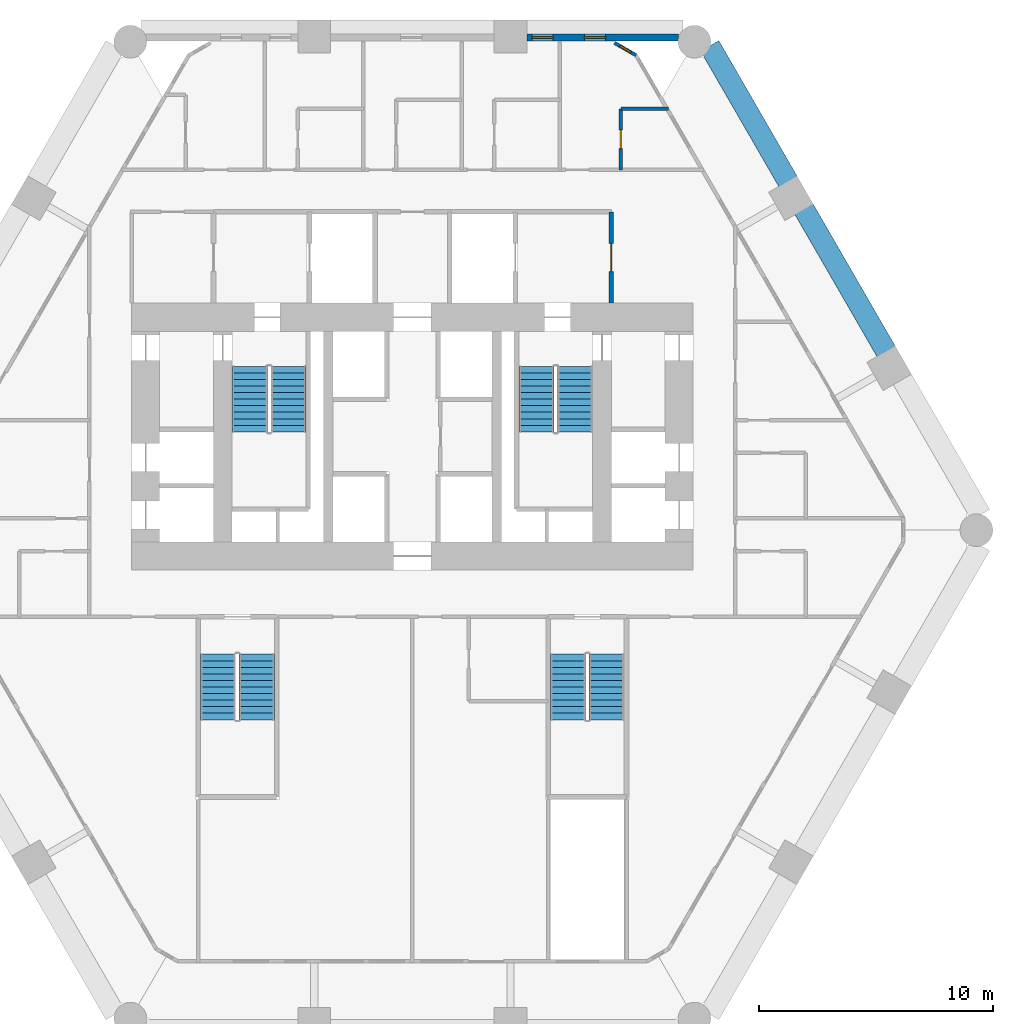
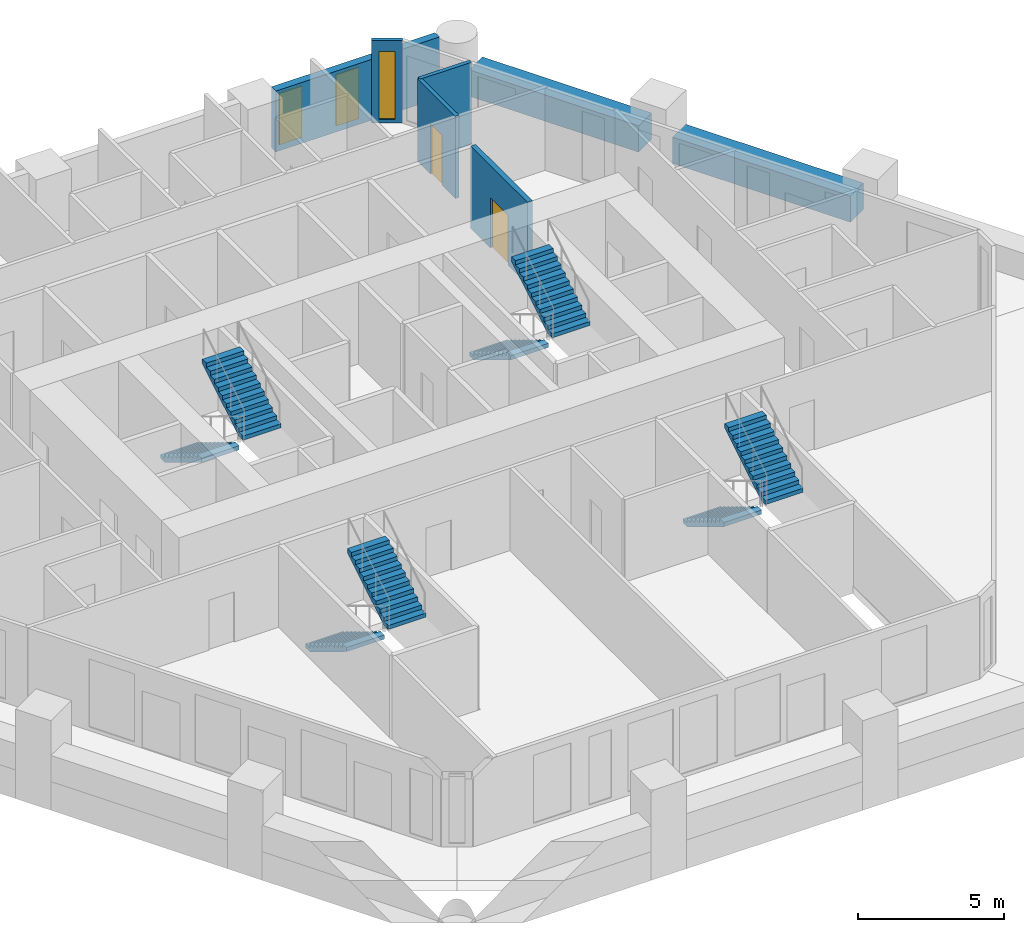
# One storey, part 7 of 8: 8 stair flights, 7 walls, 3 windows, 2 doors, 5 openings, 4 elements without a shape of their own.
"""IFC4 building model written with IfcOpenShell, lengths in metres."""

from ifc_helpers import new_model, si_unit, direction, frame, frame_2d, origin, place, context, subcontext, project, spatial, polyline, rectangle, outline, extrude, material, layer, layer_set, type_object, element, fill, aggregate, save


model = new_model("IFC4")

# Units and contexts
model_context = context("Model", 3, precision=1e-05, world=origin(), true_north=direction((0.0, 1.0)))
body_context = subcontext(model_context, "Body", "Model", "MODEL_VIEW")
ifc_project = project(units=[si_unit("LENGTHUNIT", "METRE"), si_unit("AREAUNIT", "SQUARE_METRE"), si_unit("VOLUMEUNIT", "CUBIC_METRE"), si_unit("PLANEANGLEUNIT", "RADIAN"), si_unit("MASSUNIT", "GRAM", prefix="KILO")], contexts=[model_context])

# Site, building, storey
site_placement = place(None, origin())
site = spatial("IfcSite", under=ifc_project, at=site_placement, CompositionType="ELEMENT")
building_placement = place(site_placement, origin())
building = spatial("IfcBuilding", under=site, at=building_placement, Name="Ostrander Bayou Hotel Tower", CompositionType="ELEMENT")
storey_placement = place(building_placement, frame((0.0, 0.0, 31.75)))
storey = spatial("IfcBuildingStorey", under=building, at=storey_placement, Name="L07", CompositionType="ELEMENT", Elevation=31.75)

# Wall, opening, window
ifc_material_1 = material(Name="Aluminium framed insulated wall", Category="aluminium")
ifc_layer_1 = layer(ifc_material_1, 0.14990234375)
ifc_layer_set_1 = layer_set([ifc_layer_1], Name="GW1 glass-line wall 150 mm")
wall_type_1 = type_object("IfcWallType", Name="GW1 glass-line wall 150 mm", PredefinedType="SOLIDWALL", material=ifc_layer_set_1)
wall_1_placement = place(storey_placement, frame((9.5595703125, 20.29248046875, 0.0), z_axis=(0.0, 0.0, 1.0), x_axis=(-0.866048165231, 0.499960573946, 0.0)))
wall_1 = element("IfcWall", 1, at=wall_1_placement, inside=storey, type_object=wall_type_1, Name="GW1 L07 corner 6", PredefinedType="SOLIDWALL", context=body_context, shape_type="SweptSolid", body=[
    extrude(rectangle(XDim=1.06494140625, YDim=0.14990234375, at=frame_2d((0.532470703125, 0.0))), origin(), (0.0, 0.0, 1.0), 3.449951171875),
])
opening_1_placement = place(wall_1_placement, frame((0.257568359375, 0.0, 0.14990234375)))
opening_1 = element("IfcOpeningElement", 2, at=opening_1_placement, cuts=wall_1, Name="Opening W19", PredefinedType="OPENING", context=body_context, shape_type="SweptSolid", body=[
    extrude(rectangle(XDim=0.550048828125, YDim=2.85009765625, at=frame_2d((0.27490234375, 1.425048828125))), frame((0.0, 0.074951171875, 0.0), z_axis=(0.0, -1.0, 0.0), x_axis=(1.0, 0.0, 0.0)), (0.0, 0.0, 1.0), 0.14990234375),
])
ifc_material_2 = material(Name="Aluminium and clear glass", Category="aluminium")
window_type_1 = type_object("IfcWindowType", Name="W19 corner window 550 mm", PartitioningType="SINGLE_PANEL", PredefinedType="WINDOW", material=ifc_material_2)
window_1_placement = place(opening_1_placement, origin())
window_1 = element("IfcWindow", 3, at=window_1_placement, inside=storey, type_object=window_type_1, Name="W19 L07 corner 6", OverallHeight=2.85009765625, OverallWidth=0.550048828125, PartitioningType="SINGLE_PANEL", PredefinedType="WINDOW", context=body_context, shape_type="SweptSolid", body=[
    extrude(rectangle(XDim=0.550048828125, YDim=2.85009765625, at=frame_2d((0.27490234375, 1.425048828125))), frame((0.0, 0.030029296875, 0.0), z_axis=(0.0, -1.0, 0.0), x_axis=(1.0, 0.0, 0.0)), (0.0, 0.0, 1.0), 0.06005859375),
])
fill(opening_1, window_1)

# Wall, openings, windows
ifc_material_3 = material(Name="Reconstituted stone on masonry backing", Category="masonry")
ifc_layer_2 = layer(ifc_material_3, 0.300048828125)
ifc_layer_set_2 = layer_set([ifc_layer_2], Name="NW1 north stone wall 300 mm")
wall_type_2 = type_object("IfcWallType", Name="NW1 north stone wall 300 mm", PredefinedType="SOLIDWALL", material=ifc_layer_set_2)
wall_2_placement = place(storey_placement, frame((11.376708984375, 21.050048828125, 0.0), z_axis=(0.0, 0.0, 1.0), x_axis=(-1.0, 0.0, 0.0)))
wall_2 = element("IfcWall", 4, at=wall_2_placement, inside=storey, type_object=wall_type_2, Name="NW1 L07 N-1", PredefinedType="SOLIDWALL", context=body_context, shape_type="SweptSolid", body=[
    extrude(rectangle(XDim=6.481201171875, YDim=0.300048828125, at=frame_2d((3.24072265625, 0.0))), origin(), (0.0, 0.0, 1.0), 2.550048828125),
])
opening_2_placement = place(wall_2_placement, frame((3.123779296875, 0.0, 0.14990234375)))
opening_2 = element("IfcOpeningElement", 5, at=opening_2_placement, cuts=wall_2, Name="Opening W15", PredefinedType="OPENING", context=body_context, shape_type="SweptSolid", body=[
    extrude(rectangle(XDim=0.89990234375, YDim=2.14990234375, at=frame_2d((0.449951171875, 1.074951171875))), frame((0.0, 0.14990234375, 0.0), z_axis=(0.0, -1.0, 0.0), x_axis=(1.0, 0.0, 0.0)), (0.0, 0.0, 1.0), 0.300048828125),
])
opening_3_placement = place(wall_2_placement, frame((5.376708984375, 0.0, 0.14990234375)))
opening_3 = element("IfcOpeningElement", 6, at=opening_3_placement, cuts=wall_2, Name="Opening W15", PredefinedType="OPENING", context=body_context, shape_type="SweptSolid", body=[
    extrude(rectangle(XDim=0.89990234375, YDim=2.14990234375, at=frame_2d((0.449951171875, 1.074951171875))), frame((0.0, 0.14990234375, 0.0), z_axis=(0.0, -1.0, 0.0), x_axis=(1.0, 0.0, 0.0)), (0.0, 0.0, 1.0), 0.300048828125),
])
ifc_material_4 = material(Name="Aluminium and clear glass", Category="aluminium")
window_type_2 = type_object("IfcWindowType", Name="W15 window 900 mm, zone 1", PartitioningType="SINGLE_PANEL", PredefinedType="WINDOW", material=ifc_material_4)
window_2_placement = place(opening_2_placement, origin())
window_2 = element("IfcWindow", 7, at=window_2_placement, inside=storey, type_object=window_type_2, Name="W15 L07 north N-1", OverallHeight=2.14990234375, OverallWidth=0.89990234375, PartitioningType="SINGLE_PANEL", PredefinedType="WINDOW", context=body_context, shape_type="SweptSolid", body=[
    extrude(rectangle(XDim=0.89990234375, YDim=2.14990234375, at=frame_2d((0.449951171875, 1.074951171875))), frame((0.0, 0.030029296875, 0.0), z_axis=(0.0, -1.0, 0.0), x_axis=(1.0, 0.0, 0.0)), (0.0, 0.0, 1.0), 0.06005859375),
])
fill(opening_2, window_2)
window_3_placement = place(opening_3_placement, origin())
window_3 = element("IfcWindow", 8, at=window_3_placement, inside=storey, type_object=window_type_2, Name="W15 L07 north N-1-2", OverallHeight=2.14990234375, OverallWidth=0.89990234375, PartitioningType="SINGLE_PANEL", PredefinedType="WINDOW", context=body_context, shape_type="SweptSolid", body=[
    extrude(rectangle(XDim=0.89990234375, YDim=2.14990234375, at=frame_2d((0.449951171875, 1.074951171875))), frame((0.0, 0.030029296875, 0.0), z_axis=(0.0, -1.0, 0.0), x_axis=(1.0, 0.0, 0.0)), (0.0, 0.0, 1.0), 0.06005859375),
])
fill(opening_3, window_3)

# Walls
ifc_material_5 = material(Name="Concrete f'c 40 MPa", Category="concrete")
ifc_layer_3 = layer(ifc_material_5, 0.89990234375)
ifc_layer_set_3 = layer_set([ifc_layer_3], Name="PA1 stone-faced parapet 900 mm")
wall_type_3 = type_object("IfcWallType", Name="PA1 stone-faced parapet 900 mm", PredefinedType="PARAPET", material=ifc_layer_set_3)
wall_3_placement = place(storey_placement, frame((20.252197265625, 7.621826171875, 0.0), z_axis=(0.0, 0.0, 1.0), x_axis=(-0.499997206141, 0.866027016814, 0.0)))
element("IfcWall", 9, at=wall_3_placement, inside=storey, type_object=wall_type_3, Name="PA1 L07 NE-2", PredefinedType="PARAPET", context=body_context, shape_type="SweptSolid", body=[
    extrude(rectangle(XDim=7.05078125, YDim=0.89990234375, at=frame_2d((3.525390625, 0.0))), origin(), (0.0, 0.0, 1.0), 1.10009765625),
])
wall_4_placement = place(storey_placement, frame((16.056884765625, 14.888671875, 0.0), z_axis=(0.0, 0.0, 1.0), x_axis=(-0.500005133765, 0.866022439784, 0.0)))
element("IfcWall", 10, at=wall_4_placement, inside=storey, type_object=wall_type_3, Name="PA1 L07 NE-3", PredefinedType="PARAPET", context=body_context, shape_type="SweptSolid", body=[
    extrude(rectangle(XDim=6.70361328125, YDim=0.89990234375, at=frame_2d((3.351806640625, 0.0))), origin(), (0.0, 0.0, 1.0), 1.10009765625),
])

# Wall, opening, door
ifc_material_6 = material(Name="Masonry block", Category="masonry")
ifc_layer_4 = layer(ifc_material_6, 0.199951171875)
ifc_layer_set_4 = layer_set([ifc_layer_4], Name="PT5 stair enclosure wall 200 mm masonry, 2 hour")
wall_type_4 = type_object("IfcWallType", Name="PT5 stair enclosure wall 200 mm masonry, 2 hour", PredefinedType="PARTITIONING", material=ifc_layer_set_4)
wall_5_placement = place(storey_placement, frame((8.5, 9.699951171875, 0.0), z_axis=(0.0, 0.0, 1.0), x_axis=(0.0, 1.0, 0.0)))
wall_5 = element("IfcWall", 11, at=wall_5_placement, inside=storey, type_object=wall_type_4, Name="cs:L07:027", PredefinedType="PARTITIONING", context=body_context, shape_type="SweptSolid", body=[
    extrude(rectangle(XDim=3.900146484375, YDim=0.199951171875, at=frame_2d((1.9501953125, 0.0))), origin(), (0.0, 0.0, 1.0), 3.449951171875),
])
opening_4_placement = place(wall_5_placement, frame((1.35009765625, 0.0, 0.0)))
opening_4 = element("IfcOpeningElement", 12, at=opening_4_placement, cuts=wall_5, Name="Opening T06-012", PredefinedType="OPENING", context=body_context, shape_type="SweptSolid", body=[
    extrude(rectangle(XDim=1.199951171875, YDim=2.10009765625, at=frame_2d((0.60009765625, 1.050048828125))), frame((0.0, 0.10009765625, 0.0), z_axis=(0.0, -1.0, 0.0), x_axis=(1.0, 0.0, 0.0)), (0.0, 0.0, 1.0), 0.199951171875),
])
ifc_material_7 = material(Name="Timber door leaf", Category="wood")
door_type_1 = type_object("IfcDoorType", Name="D7 lobby door 1200 x 2100 mm, 1 hour", OperationType="SINGLE_SWING_LEFT", PredefinedType="DOOR", material=ifc_material_7)
door_1_placement = place(opening_4_placement, origin())
door_1 = element("IfcDoor", 13, at=door_1_placement, inside=storey, type_object=door_type_1, Name="dr:L07:012", OperationType="SINGLE_SWING_LEFT", OverallHeight=2.10009765625, OverallWidth=1.199951171875, PredefinedType="DOOR", context=body_context, shape_type="SweptSolid", body=[
    extrude(rectangle(XDim=1.199951171875, YDim=2.10009765625, at=frame_2d((0.60009765625, 1.050048828125))), frame((0.0, 0.02490234375, 0.0), z_axis=(0.0, -1.0, 0.0), x_axis=(1.0, 0.0, 0.0)), (0.0, 0.0, 1.0), 0.050048828125),
])
fill(opening_4, door_1)

# Wall
ifc_material_8 = material(Name="Gypsum board partition", Category="finish")
ifc_layer_5 = layer(ifc_material_8, 0.14990234375)
ifc_layer_set_5 = layer_set([ifc_layer_5], Name="PT8 service band wall 150 mm, 1 hour")
wall_type_5 = type_object("IfcWallType", Name="PT8 service band wall 150 mm, 1 hour", PredefinedType="PARTITIONING", material=ifc_layer_set_5)
wall_6_placement = place(storey_placement, frame((8.905029296875, 18.0, 0.0), z_axis=(0.0, 0.0, 1.0), x_axis=(1.0, 0.0, 0.0)))
element("IfcWall", 14, at=wall_6_placement, inside=storey, type_object=wall_type_5, Name="gw:L07:016", PredefinedType="PARTITIONING", context=body_context, shape_type="SweptSolid", body=[
    extrude(rectangle(XDim=2.030029296875, YDim=0.14990234375, at=frame_2d((1.01513671875, 0.0))), origin(), (0.0, 0.0, 1.0), 3.449951171875),
])

# Wall, opening, door
wall_7_placement = place(storey_placement, frame((8.905029296875, 15.39990234375, 0.0), z_axis=(0.0, 0.0, 1.0), x_axis=(0.0, 1.0, 0.0)))
wall_7 = element("IfcWall", 15, at=wall_7_placement, inside=storey, type_object=wall_type_5, Name="gw:L07:024", PredefinedType="PARTITIONING", context=body_context, shape_type="SweptSolid", body=[
    extrude(rectangle(XDim=2.60009765625, YDim=0.14990234375, at=frame_2d((1.300048828125, 0.0))), origin(), (0.0, 0.0, 1.0), 3.449951171875),
])
opening_5_placement = place(wall_7_placement, frame((0.89990234375, 0.0, 0.0)))
opening_5 = element("IfcOpeningElement", 16, at=opening_5_placement, cuts=wall_7, Name="Opening T06-424", PredefinedType="OPENING", context=body_context, shape_type="SweptSolid", body=[
    extrude(rectangle(XDim=0.800048828125, YDim=2.10009765625, at=frame_2d((0.39990234375, 1.050048828125))), frame((0.0, 0.074951171875, 0.0), z_axis=(0.0, -1.0, 0.0), x_axis=(1.0, 0.0, 0.0)), (0.0, 0.0, 1.0), 0.14990234375),
])
ifc_material_9 = material(Name="Timber door leaf", Category="wood")
door_type_2 = type_object("IfcDoorType", Name="D2 bathroom door 800 x 2100 mm", OperationType="SINGLE_SWING_LEFT", PredefinedType="DOOR", material=ifc_material_9)
door_2_placement = place(opening_5_placement, origin())
door_2 = element("IfcDoor", 17, at=door_2_placement, inside=storey, type_object=door_type_2, Name="dr:L07:424", OperationType="SINGLE_SWING_LEFT", OverallHeight=2.10009765625, OverallWidth=0.800048828125, PredefinedType="DOOR", context=body_context, shape_type="SweptSolid", body=[
    extrude(rectangle(XDim=0.800048828125, YDim=2.10009765625, at=frame_2d((0.39990234375, 1.050048828125))), frame((0.0, 0.02490234375, 0.0), z_axis=(0.0, -1.0, 0.0), x_axis=(1.0, 0.0, 0.0)), (0.0, 0.0, 1.0), 0.050048828125),
])
fill(opening_5, door_2)

# Stair, stair flights
ifc_material_10 = material(Name="Concrete f'c 45 MPa", Category="concrete")
stair_type = type_object("IfcStairType", Name="ST1 exit stair 1500 mm f'c 45 MPa", PredefinedType="HALF_TURN_STAIR", material=ifc_material_10)
stair_1_placement = place(storey_placement, origin())
stair_1 = element("IfcStair", 18, at=stair_1_placement, inside=storey, type_object=stair_type, Name="L07 exit stair A", PredefinedType="HALF_TURN_STAIR")
ifc_material_11 = material(Name="Concrete f'c 45 MPa", Category="concrete")
stair_flight_type = type_object("IfcStairFlightType", Name="SF1 stair flight 1500 mm f'c 45 MPa", PredefinedType="STRAIGHT", material=ifc_material_11)
stair_flight_1_placement = place(storey_placement, frame((-6.949951171875, 7.0, 0.0), z_axis=(0.0, 0.0, 1.0), x_axis=(0.0, -1.0, 0.0)))
stair_flight_1 = element("IfcStairFlight", 19, at=stair_flight_1_placement, type_object=stair_flight_type, Name="STA flight 1", NumberOfRisers=11, NumberOfTreads=10, PredefinedType="STRAIGHT", RiserHeight=0.170454545, TreadLength=0.28, context=body_context, shape_type="SweptSolid", body=[
    extrude(outline(polyline([(0.0, 0.0), (0.0, 0.17041015625), (0.280029296875, 0.17041015625), (0.280029296875, 0.3408203125), (0.56005859375, 0.3408203125), (0.56005859375, 0.511474609375), (0.840087890625, 0.511474609375), (0.840087890625, 0.681884765625), (1.1201171875, 0.681884765625), (1.1201171875, 0.852294921875), (1.39990234375, 0.852294921875), (1.39990234375, 1.022705078125), (1.679931640625, 1.022705078125), (1.679931640625, 1.193115234375), (1.9599609375, 1.193115234375), (1.9599609375, 1.363525390625), (2.239990234375, 1.363525390625), (2.239990234375, 1.5341796875), (2.52001953125, 1.5341796875), (2.52001953125, 1.70458984375), (2.800048828125, 1.70458984375), (2.800048828125, 1.875), (2.800048828125, 1.529052734375), (0.288330078125, 0.0), (0.0, 0.0)])), frame((0.0, 0.75, 0.0), z_axis=(0.0, -1.0, 0.0), x_axis=(1.0, 0.0, 0.0)), (0.0, 0.0, 1.0), 1.5),
])
stair_flight_2_placement = place(storey_placement, frame((-5.300048828125, 4.199951171875, 1.875), z_axis=(0.0, 0.0, 1.0), x_axis=(0.0, 1.0, 0.0)))
stair_flight_2 = element("IfcStairFlight", 20, at=stair_flight_2_placement, type_object=stair_flight_type, Name="STA flight 2", NumberOfRisers=11, NumberOfTreads=10, PredefinedType="STRAIGHT", RiserHeight=0.170454545, TreadLength=0.28, context=body_context, shape_type="SweptSolid", body=[
    extrude(outline(polyline([(0.0, 0.0), (0.0, 0.17041015625), (0.280029296875, 0.17041015625), (0.280029296875, 0.3408203125), (0.56005859375, 0.3408203125), (0.56005859375, 0.511474609375), (0.840087890625, 0.511474609375), (0.840087890625, 0.681884765625), (1.1201171875, 0.681884765625), (1.1201171875, 0.852294921875), (1.39990234375, 0.852294921875), (1.39990234375, 1.022705078125), (1.679931640625, 1.022705078125), (1.679931640625, 1.193115234375), (1.9599609375, 1.193115234375), (1.9599609375, 1.363525390625), (2.239990234375, 1.363525390625), (2.239990234375, 1.5341796875), (2.52001953125, 1.5341796875), (2.52001953125, 1.70458984375), (2.800048828125, 1.70458984375), (2.800048828125, 1.875), (2.800048828125, 1.529052734375), (0.288330078125, 0.0), (0.0, 0.0)])), frame((0.0, 0.75, 0.0), z_axis=(0.0, -1.0, 0.0), x_axis=(1.0, 0.0, 0.0)), (0.0, 0.0, 1.0), 1.5),
])
aggregate(stair_1, [stair_flight_1, stair_flight_2])

stair_2_placement = place(storey_placement, origin())
stair_2 = element("IfcStair", 21, at=stair_2_placement, inside=storey, type_object=stair_type, Name="L07 exit stair B", PredefinedType="HALF_TURN_STAIR")
stair_flight_3_placement = place(storey_placement, frame((5.300048828125, 7.0, 0.0), z_axis=(0.0, 0.0, 1.0), x_axis=(0.0, -1.0, 0.0)))
stair_flight_3 = element("IfcStairFlight", 22, at=stair_flight_3_placement, type_object=stair_flight_type, Name="STB flight 1", NumberOfRisers=11, NumberOfTreads=10, PredefinedType="STRAIGHT", RiserHeight=0.170454545, TreadLength=0.28, context=body_context, shape_type="SweptSolid", body=[
    extrude(outline(polyline([(0.0, 0.0), (0.0, 0.17041015625), (0.280029296875, 0.17041015625), (0.280029296875, 0.3408203125), (0.56005859375, 0.3408203125), (0.56005859375, 0.511474609375), (0.840087890625, 0.511474609375), (0.840087890625, 0.681884765625), (1.1201171875, 0.681884765625), (1.1201171875, 0.852294921875), (1.39990234375, 0.852294921875), (1.39990234375, 1.022705078125), (1.679931640625, 1.022705078125), (1.679931640625, 1.193115234375), (1.9599609375, 1.193115234375), (1.9599609375, 1.363525390625), (2.239990234375, 1.363525390625), (2.239990234375, 1.5341796875), (2.52001953125, 1.5341796875), (2.52001953125, 1.70458984375), (2.800048828125, 1.70458984375), (2.800048828125, 1.875), (2.800048828125, 1.529052734375), (0.288330078125, 0.0), (0.0, 0.0)])), frame((0.0, 0.75, 0.0), z_axis=(0.0, -1.0, 0.0), x_axis=(1.0, 0.0, 0.0)), (0.0, 0.0, 1.0), 1.5),
])
stair_flight_4_placement = place(storey_placement, frame((6.949951171875, 4.199951171875, 1.875), z_axis=(0.0, 0.0, 1.0), x_axis=(0.0, 1.0, 0.0)))
stair_flight_4 = element("IfcStairFlight", 23, at=stair_flight_4_placement, type_object=stair_flight_type, Name="STB flight 2", NumberOfRisers=11, NumberOfTreads=10, PredefinedType="STRAIGHT", RiserHeight=0.170454545, TreadLength=0.28, context=body_context, shape_type="SweptSolid", body=[
    extrude(outline(polyline([(0.0, 0.0), (0.0, 0.17041015625), (0.280029296875, 0.17041015625), (0.280029296875, 0.3408203125), (0.56005859375, 0.3408203125), (0.56005859375, 0.511474609375), (0.840087890625, 0.511474609375), (0.840087890625, 0.681884765625), (1.1201171875, 0.681884765625), (1.1201171875, 0.852294921875), (1.39990234375, 0.852294921875), (1.39990234375, 1.022705078125), (1.679931640625, 1.022705078125), (1.679931640625, 1.193115234375), (1.9599609375, 1.193115234375), (1.9599609375, 1.363525390625), (2.239990234375, 1.363525390625), (2.239990234375, 1.5341796875), (2.52001953125, 1.5341796875), (2.52001953125, 1.70458984375), (2.800048828125, 1.70458984375), (2.800048828125, 1.875), (2.800048828125, 1.529052734375), (0.288330078125, 0.0), (0.0, 0.0)])), frame((0.0, 0.75, 0.0), z_axis=(0.0, -1.0, 0.0), x_axis=(1.0, 0.0, 0.0)), (0.0, 0.0, 1.0), 1.5),
])
aggregate(stair_2, [stair_flight_3, stair_flight_4])

stair_3_placement = place(storey_placement, origin())
stair_3 = element("IfcStair", 24, at=stair_3_placement, inside=storey, type_object=stair_type, Name="L07 exit stair C", PredefinedType="HALF_TURN_STAIR")
stair_flight_5_placement = place(storey_placement, frame((6.64990234375, -5.300048828125, 0.0), z_axis=(0.0, 0.0, 1.0), x_axis=(0.0, -1.0, 0.0)))
stair_flight_5 = element("IfcStairFlight", 25, at=stair_flight_5_placement, type_object=stair_flight_type, Name="STC flight 1", NumberOfRisers=11, NumberOfTreads=10, PredefinedType="STRAIGHT", RiserHeight=0.170454545, TreadLength=0.28, context=body_context, shape_type="SweptSolid", body=[
    extrude(outline(polyline([(0.0, 0.0), (0.0, 0.17041015625), (0.280029296875, 0.17041015625), (0.280029296875, 0.3408203125), (0.56005859375, 0.3408203125), (0.56005859375, 0.511474609375), (0.840087890625, 0.511474609375), (0.840087890625, 0.681884765625), (1.1201171875, 0.681884765625), (1.1201171875, 0.852294921875), (1.39990234375, 0.852294921875), (1.39990234375, 1.022705078125), (1.679931640625, 1.022705078125), (1.679931640625, 1.193115234375), (1.9599609375, 1.193115234375), (1.9599609375, 1.363525390625), (2.239990234375, 1.363525390625), (2.239990234375, 1.5341796875), (2.52001953125, 1.5341796875), (2.52001953125, 1.70458984375), (2.800048828125, 1.70458984375), (2.800048828125, 1.875), (2.800048828125, 1.529052734375), (0.288330078125, 0.0), (0.0, 0.0)])), frame((0.0, 0.75, 0.0), z_axis=(0.0, -1.0, 0.0), x_axis=(1.0, 0.0, 0.0)), (0.0, 0.0, 1.0), 1.5),
])
stair_flight_6_placement = place(storey_placement, frame((8.300048828125, -8.10009765625, 1.875), z_axis=(0.0, 0.0, 1.0), x_axis=(0.0, 1.0, 0.0)))
stair_flight_6 = element("IfcStairFlight", 26, at=stair_flight_6_placement, type_object=stair_flight_type, Name="STC flight 2", NumberOfRisers=11, NumberOfTreads=10, PredefinedType="STRAIGHT", RiserHeight=0.170454545, TreadLength=0.28, context=body_context, shape_type="SweptSolid", body=[
    extrude(outline(polyline([(0.0, 0.0), (0.0, 0.17041015625), (0.280029296875, 0.17041015625), (0.280029296875, 0.3408203125), (0.56005859375, 0.3408203125), (0.56005859375, 0.511474609375), (0.840087890625, 0.511474609375), (0.840087890625, 0.681884765625), (1.1201171875, 0.681884765625), (1.1201171875, 0.852294921875), (1.39990234375, 0.852294921875), (1.39990234375, 1.022705078125), (1.679931640625, 1.022705078125), (1.679931640625, 1.193115234375), (1.9599609375, 1.193115234375), (1.9599609375, 1.363525390625), (2.239990234375, 1.363525390625), (2.239990234375, 1.5341796875), (2.52001953125, 1.5341796875), (2.52001953125, 1.70458984375), (2.800048828125, 1.70458984375), (2.800048828125, 1.875), (2.800048828125, 1.529052734375), (0.288330078125, 0.0), (0.0, 0.0)])), frame((0.0, 0.75, 0.0), z_axis=(0.0, -1.0, 0.0), x_axis=(1.0, 0.0, 0.0)), (0.0, 0.0, 1.0), 1.5),
])
aggregate(stair_3, [stair_flight_5, stair_flight_6])

stair_4_placement = place(storey_placement, origin())
stair_4 = element("IfcStair", 27, at=stair_4_placement, inside=storey, type_object=stair_type, Name="L07 exit stair D", PredefinedType="HALF_TURN_STAIR")
stair_flight_7_placement = place(storey_placement, frame((-8.300048828125, -5.300048828125, 0.0), z_axis=(0.0, 0.0, 1.0), x_axis=(0.0, -1.0, 0.0)))
stair_flight_7 = element("IfcStairFlight", 28, at=stair_flight_7_placement, type_object=stair_flight_type, Name="STD flight 1", NumberOfRisers=11, NumberOfTreads=10, PredefinedType="STRAIGHT", RiserHeight=0.170454545, TreadLength=0.28, context=body_context, shape_type="SweptSolid", body=[
    extrude(outline(polyline([(0.0, 0.0), (0.0, 0.17041015625), (0.280029296875, 0.17041015625), (0.280029296875, 0.3408203125), (0.56005859375, 0.3408203125), (0.56005859375, 0.511474609375), (0.840087890625, 0.511474609375), (0.840087890625, 0.681884765625), (1.1201171875, 0.681884765625), (1.1201171875, 0.852294921875), (1.39990234375, 0.852294921875), (1.39990234375, 1.022705078125), (1.679931640625, 1.022705078125), (1.679931640625, 1.193115234375), (1.9599609375, 1.193115234375), (1.9599609375, 1.363525390625), (2.239990234375, 1.363525390625), (2.239990234375, 1.5341796875), (2.52001953125, 1.5341796875), (2.52001953125, 1.70458984375), (2.800048828125, 1.70458984375), (2.800048828125, 1.875), (2.800048828125, 1.529052734375), (0.288330078125, 0.0), (0.0, 0.0)])), frame((0.0, 0.75, 0.0), z_axis=(0.0, -1.0, 0.0), x_axis=(1.0, 0.0, 0.0)), (0.0, 0.0, 1.0), 1.5),
])
stair_flight_8_placement = place(storey_placement, frame((-6.64990234375, -8.10009765625, 1.875), z_axis=(0.0, 0.0, 1.0), x_axis=(0.0, 1.0, 0.0)))
stair_flight_8 = element("IfcStairFlight", 29, at=stair_flight_8_placement, type_object=stair_flight_type, Name="STD flight 2", NumberOfRisers=11, NumberOfTreads=10, PredefinedType="STRAIGHT", RiserHeight=0.170454545, TreadLength=0.28, context=body_context, shape_type="SweptSolid", body=[
    extrude(outline(polyline([(0.0, 0.0), (0.0, 0.17041015625), (0.280029296875, 0.17041015625), (0.280029296875, 0.3408203125), (0.56005859375, 0.3408203125), (0.56005859375, 0.511474609375), (0.840087890625, 0.511474609375), (0.840087890625, 0.681884765625), (1.1201171875, 0.681884765625), (1.1201171875, 0.852294921875), (1.39990234375, 0.852294921875), (1.39990234375, 1.022705078125), (1.679931640625, 1.022705078125), (1.679931640625, 1.193115234375), (1.9599609375, 1.193115234375), (1.9599609375, 1.363525390625), (2.239990234375, 1.363525390625), (2.239990234375, 1.5341796875), (2.52001953125, 1.5341796875), (2.52001953125, 1.70458984375), (2.800048828125, 1.70458984375), (2.800048828125, 1.875), (2.800048828125, 1.529052734375), (0.288330078125, 0.0), (0.0, 0.0)])), frame((0.0, 0.75, 0.0), z_axis=(0.0, -1.0, 0.0), x_axis=(1.0, 0.0, 0.0)), (0.0, 0.0, 1.0), 1.5),
])
aggregate(stair_4, [stair_flight_7, stair_flight_8])

save(model, "model.ifc")
